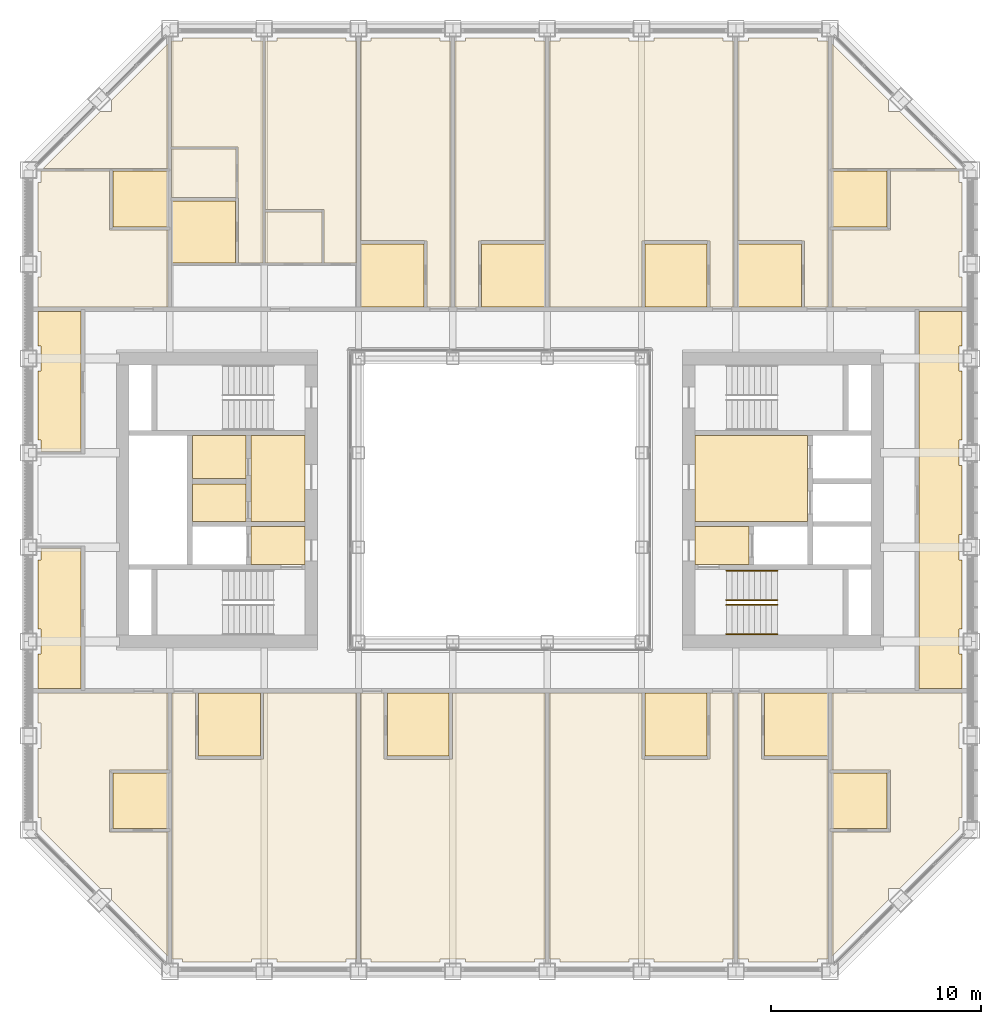
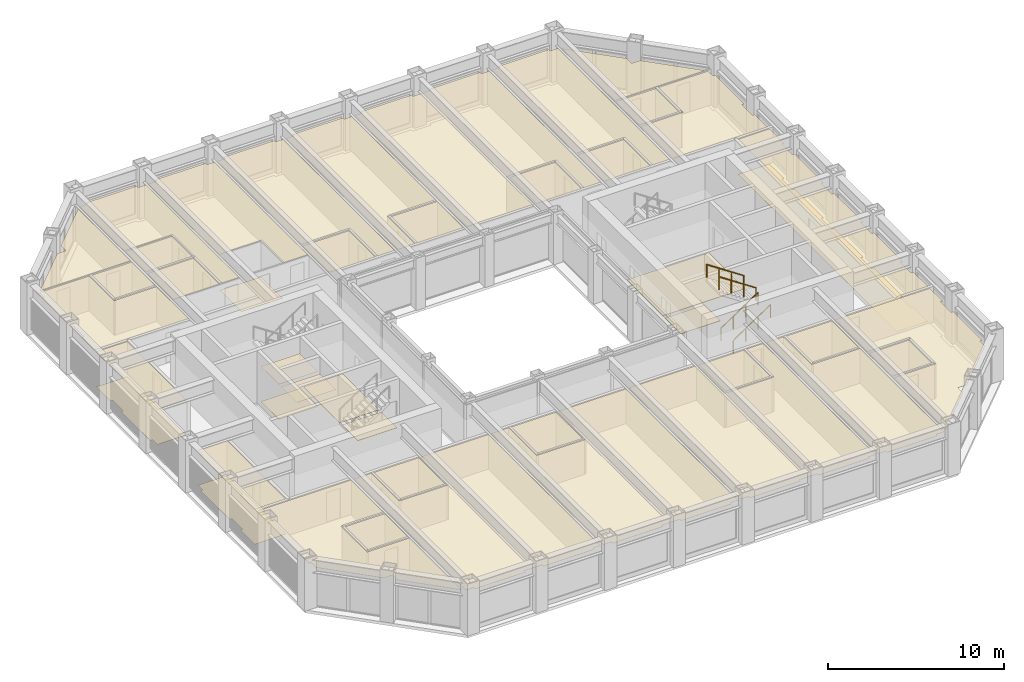
# One storey, part 16 of 17: 5 coverings, 4 railings.
"""IFC4 building model written with IfcOpenShell, lengths in metres."""

from ifc_helpers import new_model, si_unit, direction, frame, origin, origin_2d, place, context, subcontext, project, spatial, line, indexed_curve, circle, outline, extrude, material, layer, layer_set, type_object, element, save


model = new_model("IFC4")

# Units and contexts
model_context = context("Model", 3, precision=1e-05, world=origin(), true_north=direction((0.0, 1.0)))
body_context = subcontext(model_context, "Body", "Model", "MODEL_VIEW")
ifc_project = project(units=[si_unit("LENGTHUNIT", "METRE"), si_unit("AREAUNIT", "SQUARE_METRE"), si_unit("VOLUMEUNIT", "CUBIC_METRE"), si_unit("PLANEANGLEUNIT", "RADIAN"), si_unit("MASSUNIT", "GRAM", prefix="KILO")], contexts=[model_context])

# Site, building, storey
site_placement = place(None, origin())
site = spatial("IfcSite", under=ifc_project, at=site_placement, CompositionType="ELEMENT")
building_placement = place(site_placement, origin())
building = spatial("IfcBuilding", under=site, at=building_placement, Name="Msasa Ring Tower", CompositionType="ELEMENT")
storey_placement = place(building_placement, frame((0.0, 0.0, 179.60009765625)))
storey = spatial("IfcBuildingStorey", under=building, at=storey_placement, Name="L47", CompositionType="ELEMENT", Elevation=179.60009765625)

# Coverings
ifc_material_1 = material(Name="Gypsum plasterboard on a steel suspension grid", Category="steel")
ifc_layer_1 = layer(ifc_material_1, 0.014892578125)
ifc_layer_set_1 = layer_set([ifc_layer_1], Name="C1 SUSPENDED PLASTERBOARD CEILING 15")
covering_type_1 = type_object("IfcCoveringType", Name="C1 SUSPENDED PLASTERBOARD CEILING 15", PredefinedType="CEILING", material=ifc_layer_set_1)
covering_1_placement = place(storey_placement, frame((0.0, 0.0, 2.407958984375)))
element("IfcCovering", 1, at=covering_1_placement, inside=storey, type_object=covering_type_1, Name="Suspended Plasterboard Ceiling 15 L47", PredefinedType="CEILING", context=body_context, shape_type="SweptSolid", body=[
    extrude(outline(indexed_curve([(-15.8505859375, -21.762451171875), (-18.5244140625, -19.08837890625), (-18.5244140625, -18.5244140625), (-19.08837890625, -18.5244140625), (-21.8994140625, -15.71337890625), (-21.8994140625, -15.1494140625), (-22.049560546875, -15.1494140625), (-22.049560546875, -11.8505859375), (-21.8994140625, -11.8505859375), (-21.8994140625, -10.6494140625), (-22.049560546875, -10.6494140625), (-22.049560546875, -9.200439453125), (-15.8505859375, -9.200439453125), (-15.8505859375, -12.869384765625), (-18.630615234375, -12.869384765625), (-18.630615234375, -15.83056640625), (-15.8505859375, -15.83056640625)], segments=[line(1, 2, 3, 4, 5, 6, 7, 8, 9, 10, 11, 12, 13, 14, 15, 16, 17, 1)], self_intersect=False)), origin(), (0.0, 0.0, 1.0), 0.014892578125),
    extrude(outline(indexed_curve([(-15.8505859375, 12.869384765625), (-15.8505859375, 9.200439453125), (-22.049560546875, 9.200439453125), (-22.049560546875, 10.6494140625), (-21.8994140625, 10.6494140625), (-21.8994140625, 11.8505859375), (-22.049560546875, 11.8505859375), (-22.049560546875, 15.1494140625), (-21.8994140625, 15.1494140625), (-21.8994140625, 15.694580078125), (-18.630615234375, 15.694580078125), (-18.630615234375, 12.869384765625)], segments=[line(1, 2, 3, 4, 5, 6, 7, 8, 9, 10, 11, 12, 1)], self_intersect=False)), origin(), (0.0, 0.0, 1.0), 0.014892578125),
    extrude(outline(indexed_curve([(-19.08837890625, 18.5244140625), (-18.5244140625, 18.5244140625), (-18.5244140625, 19.08837890625), (-15.8505859375, 21.762451171875), (-15.8505859375, 15.805419921875), (-21.807373046875, 15.805419921875)], segments=[line(1, 2, 3, 4, 5, 6, 1)], self_intersect=False)), origin(), (0.0, 0.0, 1.0), 0.014892578125),
    extrude(outline(indexed_curve([(-11.8505859375, 22.049560546875), (-11.8505859375, 21.8994140625), (-11.310546875, 21.8994140625), (-11.310546875, 11.300537109375), (-12.474609375, 11.300537109375), (-12.474609375, 14.39990234375), (-12.49951171875, 14.39990234375), (-12.49951171875, 16.8505859375), (-15.662109375, 16.8505859375), (-15.662109375, 21.8994140625), (-15.1494140625, 21.8994140625), (-15.1494140625, 22.049560546875)], segments=[line(1, 2, 3, 4, 5, 6, 7, 8, 9, 10, 11, 12, 1)], self_intersect=False)), origin(), (0.0, 0.0, 1.0), 0.014892578125),
    extrude(outline(indexed_curve([(-12.6005859375, 16.744384765625), (-12.6005859375, 14.430419921875), (-15.662109375, 14.430419921875), (-15.662109375, 16.744384765625)], segments=[line(1, 2, 3, 4, 1)], self_intersect=False)), origin(), (0.0, 0.0, 1.0), 0.014892578125),
    extrude(outline(indexed_curve([(-14.525390625, -12.35009765625), (-14.39990234375, -12.3505859375), (-14.39990234375, -12.37548828125), (-11.39990234375, -12.37548828125), (-11.39990234375, -12.3505859375), (-11.2744140625, -12.35009765625), (-11.2744140625, -9.200439453125), (-6.8505859375, -9.200439453125), (-6.8505859375, -21.8994140625), (-7.3505859375, -21.8994140625), (-7.3505859375, -22.049560546875), (-10.6494140625, -22.049560546875), (-10.6494140625, -21.8994140625), (-11.8505859375, -21.8994140625), (-11.8505859375, -22.049560546875), (-15.1494140625, -22.049560546875), (-15.1494140625, -21.8994140625), (-15.6494140625, -21.8994140625), (-15.6494140625, -9.200439453125), (-14.525390625, -9.200439453125)], segments=[line(1, 2, 3, 4, 5, 6, 7, 8, 9, 10, 11, 12, 13, 14, 15, 16, 17, 18, 19, 20, 1)], self_intersect=False)), origin(), (0.0, 0.0, 1.0), 0.014892578125),
    extrude(outline(indexed_curve([(-7.3505859375, 22.049560546875), (-7.3505859375, 21.8994140625), (-6.837890625, 21.8994140625), (-6.837890625, 11.300537109375), (-8.3994140625, 11.300537109375), (-8.3994140625, 13.8505859375), (-11.189453125, 13.8505859375), (-11.189453125, 21.8994140625), (-10.6494140625, 21.8994140625), (-10.6494140625, 22.049560546875)], segments=[line(1, 2, 3, 4, 5, 6, 7, 8, 9, 10, 1)], self_intersect=False)), origin(), (0.0, 0.0, 1.0), 0.014892578125),
    extrude(outline(indexed_curve([(-5.39990234375, -12.3505859375), (-5.39990234375, -12.37548828125), (-2.39990234375, -12.37548828125), (-2.39990234375, -12.3505859375), (-2.2744140625, -12.35009765625), (-2.2744140625, -9.200439453125), (2.1494140625, -9.200439453125), (2.1494140625, -21.8994140625), (1.6494140625, -21.8994140625), (1.6494140625, -22.049560546875), (-1.6494140625, -22.049560546875), (-1.6494140625, -21.8994140625), (-2.8505859375, -21.8994140625), (-2.8505859375, -22.049560546875), (-6.1494140625, -22.049560546875), (-6.1494140625, -21.8994140625), (-6.6494140625, -21.8994140625), (-6.6494140625, -9.200439453125), (-5.525390625, -9.200439453125), (-5.525390625, -12.35009765625)], segments=[line(1, 2, 3, 4, 5, 6, 7, 8, 9, 10, 11, 12, 13, 14, 15, 16, 17, 18, 19, 20, 1)], self_intersect=False)), origin(), (0.0, 0.0, 1.0), 0.014892578125),
    extrude(outline(indexed_curve([(-2.8505859375, 22.049560546875), (-2.8505859375, 21.8994140625), (-2.3505859375, 21.8994140625), (-2.3505859375, 9.200439453125), (-3.474609375, 9.200439453125), (-3.474609375, 12.35009765625), (-3.60009765625, 12.3505859375), (-3.60009765625, 12.37548828125), (-6.6494140625, 12.37548828125), (-6.6494140625, 21.8994140625), (-6.1494140625, 21.8994140625), (-6.1494140625, 22.049560546875)], segments=[line(1, 2, 3, 4, 5, 6, 7, 8, 9, 10, 11, 12, 1)], self_intersect=False)), origin(), (0.0, 0.0, 1.0), 0.014892578125),
    extrude(outline(indexed_curve([(-2.1494140625, 9.200439453125), (-2.1494140625, 21.8994140625), (-1.6494140625, 21.8994140625), (-1.6494140625, 22.049560546875), (1.6494140625, 22.049560546875), (1.6494140625, 21.8994140625), (2.1494140625, 21.8994140625), (2.1494140625, 12.37548828125), (-0.89990234375, 12.37548828125), (-0.89990234375, 12.3505859375), (-1.025390625, 12.35009765625), (-1.025390625, 9.200439453125)], segments=[line(1, 2, 3, 4, 5, 6, 7, 8, 9, 10, 11, 12, 1)], self_intersect=False)), origin(), (0.0, 0.0, 1.0), 0.014892578125),
    extrude(outline(indexed_curve([(6.89990234375, -12.3505859375), (6.89990234375, -12.37548828125), (9.89990234375, -12.37548828125), (9.89990234375, -12.3505859375), (10.025390625, -12.35009765625), (10.025390625, -9.200439453125), (11.1494140625, -9.200439453125), (11.1494140625, -21.8994140625), (10.6494140625, -21.8994140625), (10.6494140625, -22.049560546875), (7.3505859375, -22.049560546875), (7.3505859375, -21.8994140625), (6.1494140625, -21.8994140625), (6.1494140625, -22.049560546875), (2.8505859375, -22.049560546875), (2.8505859375, -21.8994140625), (2.3505859375, -21.8994140625), (2.3505859375, -9.200439453125), (6.7744140625, -9.200439453125), (6.7744140625, -12.35009765625)], segments=[line(1, 2, 3, 4, 5, 6, 7, 8, 9, 10, 11, 12, 13, 14, 15, 16, 17, 18, 19, 20, 1)], self_intersect=False)), origin(), (0.0, 0.0, 1.0), 0.014892578125),
    extrude(outline(indexed_curve([(9.89990234375, 12.3505859375), (9.89990234375, 12.37548828125), (6.89990234375, 12.37548828125), (6.89990234375, 12.3505859375), (6.7744140625, 12.35009765625), (6.7744140625, 9.200439453125), (2.3505859375, 9.200439453125), (2.3505859375, 21.8994140625), (2.8505859375, 21.8994140625), (2.8505859375, 22.049560546875), (6.1494140625, 22.049560546875), (6.1494140625, 21.8994140625), (7.3505859375, 21.8994140625), (7.3505859375, 22.049560546875), (10.6494140625, 22.049560546875), (10.6494140625, 21.8994140625), (11.1494140625, 21.8994140625), (11.1494140625, 9.200439453125), (10.025390625, 9.200439453125), (10.025390625, 12.35009765625)], segments=[line(1, 2, 3, 4, 5, 6, 7, 8, 9, 10, 11, 12, 13, 14, 15, 16, 17, 18, 19, 20, 1)], self_intersect=False)), origin(), (0.0, 0.0, 1.0), 0.014892578125),
    extrude(outline(indexed_curve([(11.8505859375, -22.049560546875), (11.8505859375, -21.8994140625), (11.3505859375, -21.8994140625), (11.3505859375, -9.200439453125), (12.474609375, -9.200439453125), (12.474609375, -12.35009765625), (12.60009765625, -12.3505859375), (12.60009765625, -12.37548828125), (15.6494140625, -12.37548828125), (15.6494140625, -21.8994140625), (15.1494140625, -21.8994140625), (15.1494140625, -22.049560546875)], segments=[line(1, 2, 3, 4, 5, 6, 7, 8, 9, 10, 11, 12, 1)], self_intersect=False)), origin(), (0.0, 0.0, 1.0), 0.014892578125),
    extrude(outline(indexed_curve([(15.6494140625, 9.200439453125), (14.525390625, 9.200439453125), (14.525390625, 12.35009765625), (14.39990234375, 12.3505859375), (14.39990234375, 12.37548828125), (11.3505859375, 12.37548828125), (11.3505859375, 21.8994140625), (11.8505859375, 21.8994140625), (11.8505859375, 22.049560546875), (15.1494140625, 22.049560546875), (15.1494140625, 21.8994140625), (15.6494140625, 21.8994140625)], segments=[line(1, 2, 3, 4, 5, 6, 7, 8, 9, 10, 11, 12, 1)], self_intersect=False)), origin(), (0.0, 0.0, 1.0), 0.014892578125),
    extrude(outline(indexed_curve([(18.630615234375, -12.869384765625), (15.8505859375, -12.869384765625), (15.8505859375, -9.200439453125), (22.049560546875, -9.200439453125), (22.049560546875, -10.6494140625), (21.8994140625, -10.6494140625), (21.8994140625, -11.8505859375), (22.049560546875, -11.8505859375), (22.049560546875, -15.1494140625), (21.8994140625, -15.1494140625), (21.8994140625, -15.71337890625), (19.08837890625, -18.5244140625), (18.5244140625, -18.5244140625), (18.5244140625, -19.08837890625), (15.8505859375, -21.762451171875), (15.8505859375, -15.83056640625), (18.630615234375, -15.83056640625)], segments=[line(1, 2, 3, 4, 5, 6, 7, 8, 9, 10, 11, 12, 13, 14, 15, 16, 17, 1)], self_intersect=False)), origin(), (0.0, 0.0, 1.0), 0.014892578125),
    extrude(outline(indexed_curve([(22.049560546875, 11.8505859375), (21.8994140625, 11.8505859375), (21.8994140625, 10.6494140625), (22.049560546875, 10.6494140625), (22.049560546875, 9.200439453125), (15.8505859375, 9.200439453125), (15.8505859375, 12.869384765625), (18.630615234375, 12.869384765625), (18.630615234375, 15.694580078125), (21.8994140625, 15.694580078125), (21.8994140625, 15.1494140625), (22.049560546875, 15.1494140625)], segments=[line(1, 2, 3, 4, 5, 6, 7, 8, 9, 10, 11, 12, 1)], self_intersect=False)), origin(), (0.0, 0.0, 1.0), 0.014892578125),
    extrude(outline(indexed_curve([(15.8505859375, 15.805419921875), (15.8505859375, 21.762451171875), (18.5244140625, 19.08837890625), (18.5244140625, 18.5244140625), (19.08837890625, 18.5244140625), (21.807373046875, 15.805419921875)], segments=[line(1, 2, 3, 4, 5, 6, 1)], self_intersect=False)), origin(), (0.0, 0.0, 1.0), 0.014892578125),
])
ifc_material_2 = material(Name="Moisture-resistant gypsum plasterboard on a steel suspension grid", Category="steel")
ifc_layer_2 = layer(ifc_material_2, 0.014892578125)
ifc_layer_set_2 = layer_set([ifc_layer_2], Name="C2 MOISTURE-RESISTANT PLASTERBOARD CEILING 15")
covering_type_2 = type_object("IfcCoveringType", Name="C2 MOISTURE-RESISTANT PLASTERBOARD CEILING 15", PredefinedType="CEILING", material=ifc_layer_set_2)
covering_2_placement = place(storey_placement, frame((0.0, 0.0, 2.39990234375)))
element("IfcCovering", 2, at=covering_2_placement, inside=storey, type_object=covering_type_2, Name="Moisture-Resistant Plasterboard Ceiling 15 L47", PredefinedType="CEILING", context=body_context, shape_type="SweptSolid", body=[
    extrude(outline(indexed_curve([(-18.469482421875, -15.66943359375), (-18.469482421875, -13.030517578125), (-15.8505859375, -13.030517578125), (-15.8505859375, -15.66943359375)], segments=[line(1, 2, 3, 4, 1)], self_intersect=False)), origin(), (0.0, 0.0, 1.0), 0.014892578125),
    extrude(outline(indexed_curve([(-18.469482421875, 15.694580078125), (-15.8505859375, 15.694580078125), (-15.8505859375, 13.030517578125), (-18.469482421875, 13.030517578125)], segments=[line(1, 2, 3, 4, 1)], self_intersect=False)), origin(), (0.0, 0.0, 1.0), 0.014892578125),
    extrude(outline(indexed_curve([(-15.662109375, 11.300537109375), (-15.662109375, 14.2744140625), (-12.62548828125, 14.2744140625), (-12.62548828125, 11.300537109375)], segments=[line(1, 2, 3, 4, 1)], self_intersect=False)), origin(), (0.0, 0.0, 1.0), 0.014892578125),
    extrude(outline(indexed_curve([(-14.674560546875, 0.7744140625), (-12.12548828125, 0.7744140625), (-12.12548828125, -1.0244140625), (-14.674560546875, -1.0244140625)], segments=[line(1, 2, 3, 4, 1)], self_intersect=False)), origin(), (0.0, 0.0, 1.0), 0.014892578125),
    extrude(outline(indexed_curve([(-11.425537109375, -9.200439453125), (-11.425537109375, -12.224609375), (-14.37451171875, -12.224609375), (-14.37451171875, -9.200439453125)], segments=[line(1, 2, 3, 4, 1)], self_intersect=False)), origin(), (0.0, 0.0, 1.0), 0.014892578125),
    extrude(outline(indexed_curve([(-6.6494140625, 12.224609375), (-3.62548828125, 12.224609375), (-3.62548828125, 9.200439453125), (-6.6494140625, 9.200439453125)], segments=[line(1, 2, 3, 4, 1)], self_intersect=False)), origin(), (0.0, 0.0, 1.0), 0.014892578125),
    extrude(outline(indexed_curve([(-2.425537109375, -9.200439453125), (-2.425537109375, -12.224609375), (-5.37451171875, -12.224609375), (-5.37451171875, -9.200439453125)], segments=[line(1, 2, 3, 4, 1)], self_intersect=False)), origin(), (0.0, 0.0, 1.0), 0.014892578125),
    extrude(outline(indexed_curve([(2.1494140625, 9.200439453125), (-0.87451171875, 9.200439453125), (-0.87451171875, 12.224609375), (2.1494140625, 12.224609375)], segments=[line(1, 2, 3, 4, 1)], self_intersect=False)), origin(), (0.0, 0.0, 1.0), 0.014892578125),
    extrude(outline(indexed_curve([(9.87451171875, -9.200439453125), (9.87451171875, -12.224609375), (6.925537109375, -12.224609375), (6.925537109375, -9.200439453125)], segments=[line(1, 2, 3, 4, 1)], self_intersect=False)), origin(), (0.0, 0.0, 1.0), 0.014892578125),
    extrude(outline(indexed_curve([(6.925537109375, 9.200439453125), (6.925537109375, 12.224609375), (9.87451171875, 12.224609375), (9.87451171875, 9.200439453125)], segments=[line(1, 2, 3, 4, 1)], self_intersect=False)), origin(), (0.0, 0.0, 1.0), 0.014892578125),
    extrude(outline(indexed_curve([(11.3505859375, 12.224609375), (14.37451171875, 12.224609375), (14.37451171875, 9.200439453125), (11.3505859375, 9.200439453125)], segments=[line(1, 2, 3, 4, 1)], self_intersect=False)), origin(), (0.0, 0.0, 1.0), 0.014892578125),
    extrude(outline(indexed_curve([(15.6494140625, -9.200439453125), (15.6494140625, -12.224609375), (12.62548828125, -12.224609375), (12.62548828125, -9.200439453125)], segments=[line(1, 2, 3, 4, 1)], self_intersect=False)), origin(), (0.0, 0.0, 1.0), 0.014892578125),
    extrude(outline(indexed_curve([(15.8505859375, -15.66943359375), (15.8505859375, -13.030517578125), (18.469482421875, -13.030517578125), (18.469482421875, -15.66943359375)], segments=[line(1, 2, 3, 4, 1)], self_intersect=False)), origin(), (0.0, 0.0, 1.0), 0.014892578125),
    extrude(outline(indexed_curve([(15.8505859375, 15.694580078125), (18.469482421875, 15.694580078125), (18.469482421875, 13.030517578125), (15.8505859375, 13.030517578125)], segments=[line(1, 2, 3, 4, 1)], self_intersect=False)), origin(), (0.0, 0.0, 1.0), 0.014892578125),
])
ifc_material_3 = material(Name="Mineral fibre ceiling tiles on an exposed steel grid", Category="steel")
ifc_layer_3 = layer(ifc_material_3, 0.02001953125)
ifc_layer_set_3 = layer_set([ifc_layer_3], Name="C3 ACOUSTIC MINERAL FIBRE TILE CEILING 20")
covering_type_3 = type_object("IfcCoveringType", Name="C3 ACOUSTIC MINERAL FIBRE TILE CEILING 20", PredefinedType="CEILING", material=ifc_layer_set_3)
covering_3_placement = place(storey_placement, frame((0.0, 0.0, 2.408935546875)))
element("IfcCovering", 3, at=covering_3_placement, inside=storey, type_object=covering_type_3, Name="Acoustic Mineral Fibre Tile Ceiling 20 L47", PredefinedType="CEILING", context=body_context, shape_type="SweptSolid", body=[
    extrude(outline(indexed_curve([(-22.049560546875, -7.3505859375), (-21.8994140625, -7.3505859375), (-21.8994140625, -6.1494140625), (-22.049560546875, -6.1494140625), (-22.049560546875, -2.8505859375), (-21.8994140625, -2.8505859375), (-21.8994140625, -2.305419921875), (-20.00048828125, -2.305419921875), (-20.00048828125, -8.99951171875), (-22.049560546875, -8.99951171875)], segments=[line(1, 2, 3, 4, 5, 6, 7, 8, 9, 10, 1)], self_intersect=False)), origin(), (0.0, 0.0, 1.0), 0.02001953125),
    extrude(outline(indexed_curve([(-22.049560546875, 6.1494140625), (-21.8994140625, 6.1494140625), (-21.8994140625, 7.3505859375), (-22.049560546875, 7.3505859375), (-22.049560546875, 8.99951171875), (-20.00048828125, 8.99951171875), (-20.00048828125, 2.305419921875), (-21.8994140625, 2.305419921875), (-21.8994140625, 2.8505859375), (-22.049560546875, 2.8505859375)], segments=[line(1, 2, 3, 4, 5, 6, 7, 8, 9, 10, 1)], self_intersect=False)), origin(), (0.0, 0.0, 1.0), 0.02001953125),
    extrude(outline(indexed_curve([(-12.12548828125, 1.025390625), (-14.674560546875, 1.025390625), (-14.674560546875, 3.074462890625), (-12.12548828125, 3.074462890625)], segments=[line(1, 2, 3, 4, 1)], self_intersect=False)), origin(), (0.0, 0.0, 1.0), 0.02001953125),
    extrude(outline(indexed_curve([(22.049560546875, 8.99951171875), (22.049560546875, 7.3505859375), (21.8994140625, 7.3505859375), (21.8994140625, 6.1494140625), (22.049560546875, 6.1494140625), (22.049560546875, 2.8505859375), (21.8994140625, 2.8505859375), (21.8994140625, 1.6494140625), (22.049560546875, 1.6494140625), (22.049560546875, -1.6494140625), (21.8994140625, -1.6494140625), (21.8994140625, -2.8505859375), (22.049560546875, -2.8505859375), (22.049560546875, -6.1494140625), (21.8994140625, -6.1494140625), (21.8994140625, -7.3505859375), (22.049560546875, -7.3505859375), (22.049560546875, -8.99951171875), (20.00048828125, -8.99951171875), (20.00048828125, 8.99951171875)], segments=[line(1, 2, 3, 4, 5, 6, 7, 8, 9, 10, 11, 12, 13, 14, 15, 16, 17, 18, 19, 20, 1)], self_intersect=False)), origin(), (0.0, 0.0, 1.0), 0.02001953125),
])
ifc_material_4 = material(Name="Honed granite tiles on a mortar bed", Category="masonry")
ifc_layer_4 = layer(ifc_material_4, 0.030029296875)
ifc_layer_set_4 = layer_set([ifc_layer_4], Name="F1 HONED GRANITE ON BEDDING 30")
covering_type_4 = type_object("IfcCoveringType", Name="F1 HONED GRANITE ON BEDDING 30", PredefinedType="FLOORING", material=ifc_layer_set_4)
covering_4_placement = place(storey_placement, origin())
element("IfcCovering", 4, at=covering_4_placement, inside=storey, type_object=covering_type_4, Name="Honed Granite On Bedding 30 L47", PredefinedType="FLOORING", context=body_context, shape_type="SweptSolid", body=[
    extrude(outline(indexed_curve([(-11.87451171875, -3.074462890625), (-11.87451171875, -1.275390625), (-9.300537109375, -1.275390625), (-9.300537109375, -3.074462890625)], segments=[line(1, 2, 3, 4, 1)], self_intersect=False)), origin(), (0.0, 0.0, 1.0), 0.02978515625),
    extrude(outline(indexed_curve([(-11.87451171875, -1.0244140625), (-11.87451171875, 3.074462890625), (-9.300537109375, 3.074462890625), (-9.300537109375, -1.0244140625)], segments=[line(1, 2, 3, 4, 1)], self_intersect=False)), origin(), (0.0, 0.0, 1.0), 0.02978515625),
    extrude(outline(indexed_curve([(9.300537109375, -3.074462890625), (9.300537109375, -1.275390625), (11.87451171875, -1.275390625), (11.87451171875, -3.074462890625)], segments=[line(1, 2, 3, 4, 1)], self_intersect=False)), origin(), (0.0, 0.0, 1.0), 0.02978515625),
    extrude(outline(indexed_curve([(9.300537109375, -1.0244140625), (9.300537109375, 3.074462890625), (14.674560546875, 3.074462890625), (14.674560546875, -1.0244140625)], segments=[line(1, 2, 3, 4, 1)], self_intersect=False)), origin(), (0.0, 0.0, 1.0), 0.02978515625),
])
ifc_material_5 = material(Name="Welded vinyl safety sheet flooring", Category="vinyl")
ifc_layer_5 = layer(ifc_material_5, 0.0029296875)
ifc_layer_set_5 = layer_set([ifc_layer_5], Name="F5 RESILIENT SHEET FLOORING 3")
covering_type_5 = type_object("IfcCoveringType", Name="F5 RESILIENT SHEET FLOORING 3", PredefinedType="FLOORING", material=ifc_layer_set_5)
covering_5_placement = place(storey_placement, origin())
element("IfcCovering", 5, at=covering_5_placement, inside=storey, type_object=covering_type_5, Name="Resilient Sheet Flooring 3 L47", PredefinedType="FLOORING", context=body_context, shape_type="SweptSolid", body=[
    extrude(outline(indexed_curve([(-20.00048828125, -2.305419921875), (-20.00048828125, -8.99951171875), (-22.049560546875, -8.99951171875), (-22.049560546875, -7.3505859375), (-21.8994140625, -7.3505859375), (-21.8994140625, -6.1494140625), (-22.049560546875, -6.1494140625), (-22.049560546875, -2.8505859375), (-21.8994140625, -2.8505859375), (-21.8994140625, -2.305419921875)], segments=[line(1, 2, 3, 4, 5, 6, 7, 8, 9, 10, 1)], self_intersect=False)), origin(), (0.0, 0.0, 1.0), 0.0029296875),
    extrude(outline(indexed_curve([(-20.00048828125, 2.305419921875), (-21.8994140625, 2.305419921875), (-21.8994140625, 2.8505859375), (-22.049560546875, 2.8505859375), (-22.049560546875, 6.1494140625), (-21.8994140625, 6.1494140625), (-21.8994140625, 7.3505859375), (-22.049560546875, 7.3505859375), (-22.049560546875, 8.99951171875), (-20.00048828125, 8.99951171875)], segments=[line(1, 2, 3, 4, 5, 6, 7, 8, 9, 10, 1)], self_intersect=False)), origin(), (0.0, 0.0, 1.0), 0.0029296875),
    extrude(outline(indexed_curve([(-14.674560546875, 3.074462890625), (-12.12548828125, 3.074462890625), (-12.12548828125, 1.025390625), (-14.674560546875, 1.025390625)], segments=[line(1, 2, 3, 4, 1)], self_intersect=False)), origin(), (0.0, 0.0, 1.0), 0.0029296875),
    extrude(outline(indexed_curve([(-11.189453125, 13.74951171875), (-8.50048828125, 13.74951171875), (-8.50048828125, 11.300537109375), (-11.189453125, 11.300537109375)], segments=[line(1, 2, 3, 4, 1)], self_intersect=False)), origin(), (0.0, 0.0, 1.0), 0.0029296875),
    extrude(outline(indexed_curve([(22.049560546875, 7.3505859375), (21.8994140625, 7.3505859375), (21.8994140625, 6.1494140625), (22.049560546875, 6.1494140625), (22.049560546875, 2.8505859375), (21.8994140625, 2.8505859375), (21.8994140625, 1.6494140625), (22.049560546875, 1.6494140625), (22.049560546875, -1.6494140625), (21.8994140625, -1.6494140625), (21.8994140625, -2.8505859375), (22.049560546875, -2.8505859375), (22.049560546875, -6.1494140625), (21.8994140625, -6.1494140625), (21.8994140625, -7.3505859375), (22.049560546875, -7.3505859375), (22.049560546875, -8.99951171875), (20.00048828125, -8.99951171875), (20.00048828125, 8.99951171875), (22.049560546875, 8.99951171875)], segments=[line(1, 2, 3, 4, 5, 6, 7, 8, 9, 10, 11, 12, 13, 14, 15, 16, 17, 18, 19, 20, 1)], self_intersect=False)), origin(), (0.0, 0.0, 1.0), 0.0029296875),
])

# Railings
ifc_material_6 = material(Name="Stainless steel", Category="steel")
railing_type = type_object("IfcRailingType", Name="HR1 HANDRAIL 900", PredefinedType="HANDRAIL", material=ifc_material_6)
for number, where, name in (
    (6, (10.800048828125, -6.39990234375, 0.179931640625), "Handrail stair SEA L47 1"),
    (7, (10.800048828125, -5.0, 0.179931640625), "Handrail stair SEA L47 2"),
):
    element("IfcRailing", number, at=place(storey_placement, frame(where)), inside=storey, type_object=railing_type, Name=name, PredefinedType="HANDRAIL", context=body_context, shape_type="SweptSolid", body=[
        extrude(circle(Radius=0.02392578125, at=origin_2d()), frame((0.0, 0.0, 0.8759765625), z_axis=(0.832063155534, 0.0, 0.554680903946), x_axis=(0.0, 1.0, 0.0)), (0.0, 0.0, 1.0), 2.92041015625),
        extrude(circle(Radius=0.02099609375, at=origin_2d()), origin(), (0.0, 0.0, 1.0), 0.851806640625),
        extrude(circle(Radius=0.02099609375, at=origin_2d()), frame((0.81005859375, 0.0, 0.5400390625)), (0.0, 0.0, 1.0), 0.851806640625),
        extrude(circle(Radius=0.02099609375, at=origin_2d()), frame((1.619873046875, 0.0, 1.079833984375)), (0.0, 0.0, 1.0), 0.851806640625),
        extrude(circle(Radius=0.02099609375, at=origin_2d()), frame((2.429931640625, 0.0, 1.619873046875)), (0.0, 0.0, 1.0), 0.851806640625),
    ])
for number, where, name in (
    (8, (13.22998046875, -4.77490234375, 1.97998046875), "Handrail stair SEA L47 3"),
    (9, (13.22998046875, -3.375, 1.97998046875), "Handrail stair SEA L47 4"),
):
    element("IfcRailing", number, at=place(storey_placement, frame(where)), inside=storey, type_object=railing_type, Name=name, PredefinedType="HANDRAIL", context=body_context, shape_type="SweptSolid", body=[
        extrude(circle(Radius=0.02392578125, at=origin_2d()), frame((0.0, 0.0, 0.8759765625), z_axis=(-0.832063155534, 0.0, 0.554680903946), x_axis=(0.0, -1.0, 0.0)), (0.0, 0.0, 1.0), 2.92041015625),
        extrude(circle(Radius=0.02099609375, at=origin_2d()), origin(), (0.0, 0.0, 1.0), 0.851806640625),
        extrude(circle(Radius=0.02099609375, at=origin_2d()), frame((-0.81005859375, 0.0, 0.5400390625)), (0.0, 0.0, 1.0), 0.851806640625),
        extrude(circle(Radius=0.02099609375, at=origin_2d()), frame((-1.619873046875, 0.0, 1.079833984375)), (0.0, 0.0, 1.0), 0.851806640625),
        extrude(circle(Radius=0.02099609375, at=origin_2d()), frame((-2.429931640625, 0.0, 1.619873046875)), (0.0, 0.0, 1.0), 0.851806640625),
    ])

save(model, "model.ifc")
